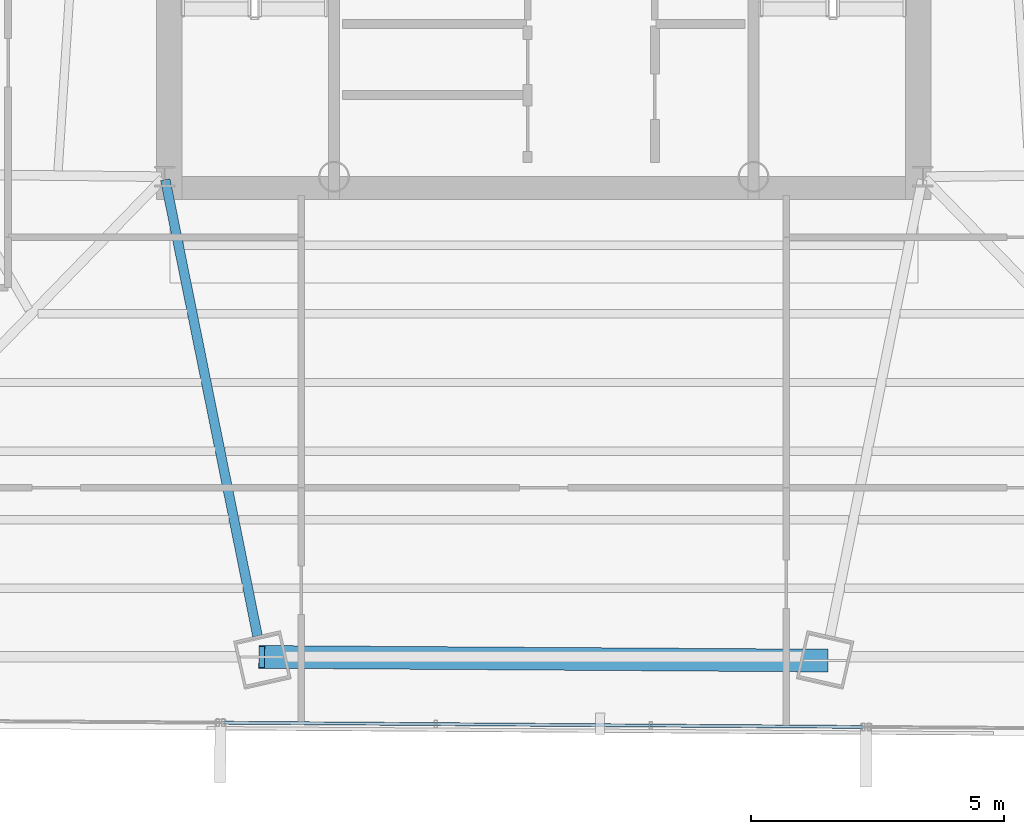
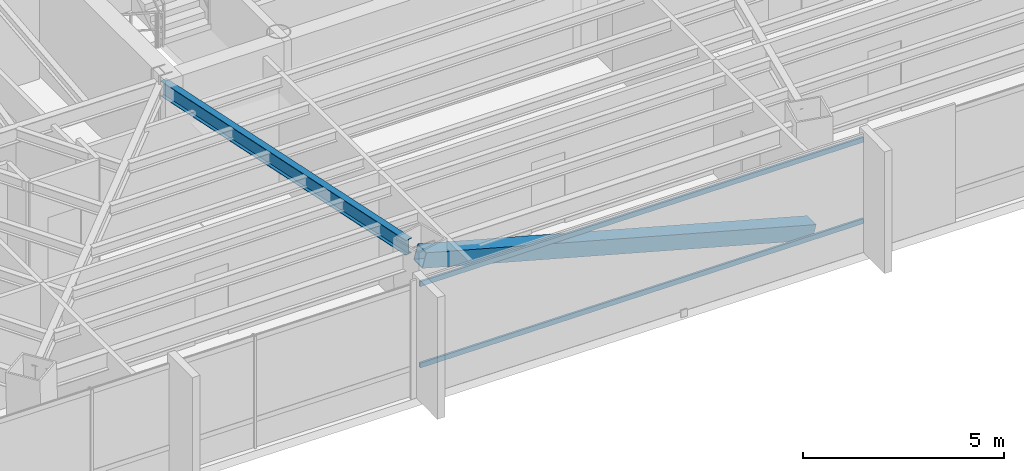
# One storey, part 9 of 41: 3 members, 1 beam, 1 element without a shape of its own.
"""IFC4 building model written with IfcOpenShell, lengths in metres."""

from ifc_helpers import new_model, si_unit, direction, frame, origin, origin_2d, place, context, subcontext, project, spatial, hollow_rectangle, i_section, extrude, source, transform, mapped, material, material_profile, profile_set, type_object, type_shapes, element, aggregate, save


model = new_model("IFC4")

# Units and contexts
model_context = context("Model", 3, precision=1e-05, world=origin(), true_north=direction((0.0, 1.0)))
body_context = subcontext(model_context, "Body", "Model", "MODEL_VIEW")
ifc_project = project(units=[si_unit("LENGTHUNIT", "METRE"), si_unit("AREAUNIT", "SQUARE_METRE"), si_unit("VOLUMEUNIT", "CUBIC_METRE"), si_unit("PLANEANGLEUNIT", "RADIAN"), si_unit("MASSUNIT", "GRAM", prefix="KILO")], contexts=[model_context])

# Site, building, storey
site_placement = place(None, origin())
site = spatial("IfcSite", under=ifc_project, at=site_placement, CompositionType="ELEMENT")
building_placement = place(site_placement, origin())
building = spatial("IfcBuilding", under=site, at=building_placement, Name="Caelisora Broadcast Tower", CompositionType="ELEMENT")
storey_placement = place(building_placement, frame((0.0, 0.0, 180.39990234375)))
storey = spatial("IfcBuildingStorey", under=building, at=storey_placement, Name="L47", CompositionType="ELEMENT", Elevation=180.39990234375)

# Beam
ifc_material_1 = material(Name="Steel Grade 350 (AS/NZS 3679.1)", Category="steel")
ifc_material_profile_1 = material_profile(ifc_material_1, i_section(OverallWidth=0.19091796875, OverallDepth=0.46044921875, WebThickness=0.010009765625, FlangeThickness=0.01611328125, at=origin_2d()), Name="Steel Grade 350 (AS/NZS 3679.1)")
ifc_profile_set_1 = profile_set([ifc_material_profile_1], Name="Steel Grade 350 (AS/NZS 3679.1)")
beam_type = type_object("IfcBeamType", Name="PG06", PredefinedType="BEAM", material=ifc_profile_set_1)
shared_shape_1 = source(origin(), body_context, "Body", "SweptSolid", [
    extrude(i_section(OverallWidth=0.19091796875, OverallDepth=0.46044921875, WebThickness=0.010009765625, FlangeThickness=0.01611328125, at=origin_2d()), origin(), (0.0, 0.0, 1.0), 9.21337890625),
])
type_shapes(beam_type, [shared_shape_1])
beam_placement = place(storey_placement, frame((30.511962890625, 17.34130859375, 3.169921875), z_axis=(0.198077664412, -0.980186328644, 0.0), x_axis=(0.980186328644, 0.198077664412, 0.0)))
element("IfcBeam", 1, at=beam_placement, inside=storey, type_object=beam_type, Name="L47 beam PG06", PredefinedType="BEAM", context=body_context, shape_type="MappedRepresentation", body=[
    mapped(shared_shape_1, transform((0.0, 0.0, 0.0), scale=1.0)),
])

# Member
ifc_material_2 = material(Name="Steel Grade 450 (AS/NZS 1163 C450L0)", Category="steel")
ifc_material_profile_2 = material_profile(ifc_material_2, hollow_rectangle(XDim=0.449951171875, YDim=0.449951171875, WallThickness=0.01611328125, at=origin_2d()), Name="Steel Grade 450 (AS/NZS 1163 C450L0)")
ifc_profile_set_2 = profile_set([ifc_material_profile_2], Name="Steel Grade 450 (AS/NZS 1163 C450L0)")
member_type_1 = type_object("IfcMemberType", Name="BR03", PredefinedType="BRACE", material=ifc_profile_set_2)
shared_shape_2 = source(origin(), body_context, "Body", "SweptSolid", [
    extrude(hollow_rectangle(XDim=0.449951171875, YDim=0.449951171875, WallThickness=0.01611328125, at=origin_2d()), origin(), (0.0, 0.0, 1.0), 11.540283203125),
])
type_shapes(member_type_1, [shared_shape_2])
member_1_placement = place(storey_placement, frame((32.420166015625, 7.89892578125, 3.10009765625), z_axis=(0.965599481359, -0.006262021482, -0.259958513396), x_axis=(0.006484976356, 0.99997897232, 0.0)))
element("IfcMember", 2, at=member_1_placement, inside=storey, type_object=member_type_1, Name="L47 perimeter brace BR03", PredefinedType="BRACE", context=body_context, shape_type="MappedRepresentation", body=[
    mapped(shared_shape_2, transform((0.0, 0.0, 0.0), scale=1.0)),
])

# Curtain wall, members
ifc_material_3 = material(Name="Unitised Aluminium Insulated Shadow-Box Spandrel Curtain Wall", Category="aluminium")
curtain_wall_type = type_object("IfcCurtainWallType", Name="CW-SP2", PredefinedType="NOTDEFINED", material=ifc_material_3)
curtain_wall_placement = place(storey_placement, origin())
curtain_wall = element("IfcCurtainWall", 3, at=curtain_wall_placement, inside=storey, type_object=curtain_wall_type, Name="L47 curtain wall CW-SP2", PredefinedType="NOTDEFINED")
ifc_material_4 = material(Name="Aluminium 6063-T6 Anodised Terracotta Bronze", Category="aluminium")
ifc_material_profile_3 = material_profile(ifc_material_4, hollow_rectangle(XDim=0.06005859375, YDim=0.14990234375, WallThickness=0.00341796875, at=origin_2d()), Name="Aluminium 6063-T6 Anodised Terracotta Bronze")
ifc_profile_set_3 = profile_set([ifc_material_profile_3], Name="Aluminium 6063-T6 Anodised Terracotta Bronze")
member_type_2 = type_object("IfcMemberType", Name="CWT-02", PredefinedType="USERDEFINED", material=ifc_profile_set_3)
shared_shape_3 = source(origin(), body_context, "Body", "SweptSolid", [
    extrude(hollow_rectangle(XDim=0.06005859375, YDim=0.14990234375, WallThickness=0.00341796875, at=origin_2d()), origin(), (0.0, 0.0, 1.0), 12.66650390625),
])
type_shapes(member_type_2, [shared_shape_3])
member_2_placement = place(storey_placement, frame((44.32470703125, 6.513427734375, 0.85009765625), z_axis=(-0.999978018572, 0.006630412644, 0.0), x_axis=(-0.006630412644, -0.999978018572, 0.0)))
member_2 = element("IfcMember", 4, at=member_2_placement, type_object=member_type_2, Name="L47-CW-B06 transom #1", ObjectType="TRANSOM", PredefinedType="USERDEFINED", context=body_context, shape_type="MappedRepresentation", body=[
    mapped(shared_shape_3, transform((0.0, 0.0, 0.0), scale=1.0)),
])
member_3_placement = place(storey_placement, frame((44.32470703125, 6.513427734375, 3.320068359375), z_axis=(-0.999978018572, 0.006630412644, 0.0), x_axis=(-0.006630412644, -0.999978018572, 0.0)))
member_3 = element("IfcMember", 5, at=member_3_placement, type_object=member_type_2, Name="L47-CW-B06 transom #2", ObjectType="TRANSOM", PredefinedType="USERDEFINED", context=body_context, shape_type="MappedRepresentation", body=[
    mapped(shared_shape_3, transform((0.0, 0.0, 0.0), scale=1.0)),
])
aggregate(curtain_wall, [member_2, member_3])

save(model, "model.ifc")
